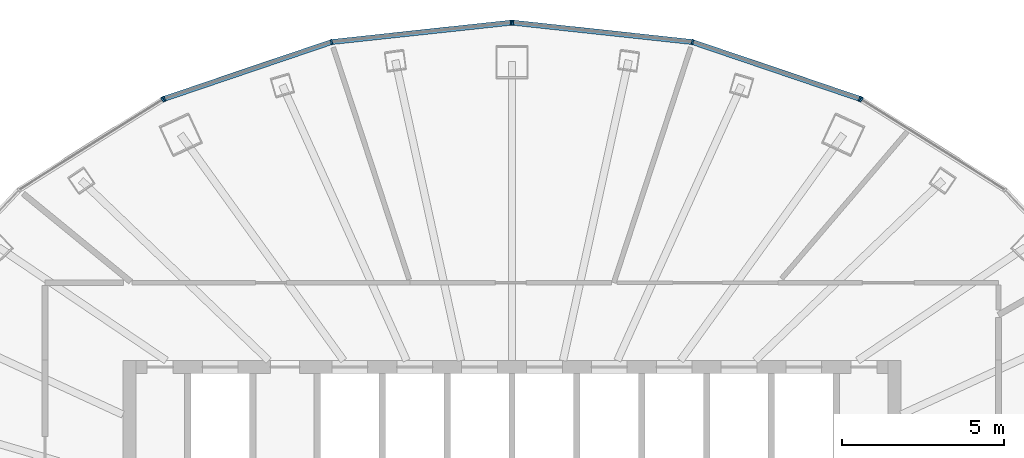
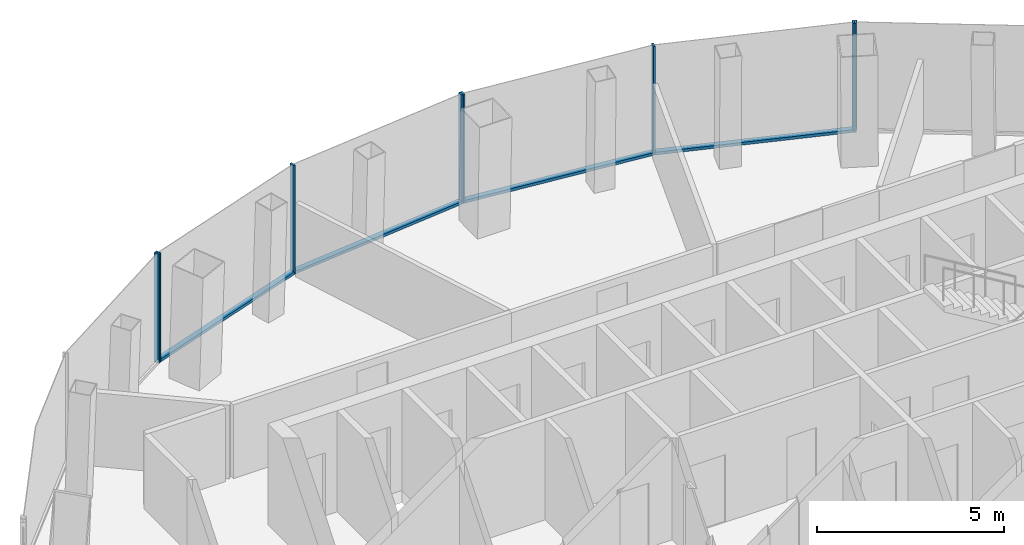
# One storey, part 7 of 12: 12 members, 4 elements without a shape of their own.
"""IFC4 building model written with IfcOpenShell, lengths in metres."""

from ifc_helpers import new_model, si_unit, direction, frame, origin, origin_2d, place, context, subcontext, project, spatial, rectangle, extrude, material, layer, layer_set, material_profile, profile_set, type_object, element, aggregate, save


model = new_model("IFC4")

# Units and contexts
model_context = context("Model", 3, precision=1e-05, world=origin(), true_north=direction((0.0, 1.0)))
body_context = subcontext(model_context, "Body", "Model", "MODEL_VIEW")
ifc_project = project(units=[si_unit("LENGTHUNIT", "METRE"), si_unit("AREAUNIT", "SQUARE_METRE"), si_unit("VOLUMEUNIT", "CUBIC_METRE"), si_unit("PLANEANGLEUNIT", "RADIAN"), si_unit("MASSUNIT", "GRAM", prefix="KILO")], contexts=[model_context])

# Site, building, storey
site_placement = place(None, origin())
site = spatial("IfcSite", under=ifc_project, at=site_placement, CompositionType="ELEMENT")
building_placement = place(site_placement, origin())
building = spatial("IfcBuilding", under=site, at=building_placement, Name="Siaravel Broadcast Tower", CompositionType="ELEMENT")
storey_placement = place(building_placement, frame((0.0, 0.0, 235.60009765625)))
storey = spatial("IfcBuildingStorey", under=building, at=storey_placement, Name="L57", CompositionType="ELEMENT", Elevation=235.60009765625)

# Curtain wall, member
ifc_material = material(Name="Aluminium 6063-T6", Category="aluminium")
ifc_layer = layer(ifc_material, 0.159912109375)
ifc_layer_set = layer_set([ifc_layer], Name="Aluminium 6063-T6")
curtain_wall_type = type_object("IfcCurtainWallType", Name="Unitised curtain wall, zone 4", PredefinedType="NOTDEFINED", material=ifc_layer_set)
curtain_wall_1_placement = place(storey_placement, origin())
curtain_wall_1 = element("IfcCurtainWall", 1, at=curtain_wall_1_placement, inside=storey, type_object=curtain_wall_type, Name="L57 Unitised curtain wall, zone 4 02", PredefinedType="NOTDEFINED")
ifc_material_profile_1 = material_profile(ifc_material, rectangle(XDim=0.159912109375, YDim=0.054931640625, at=origin_2d()))
ifc_profile_set_1 = profile_set([ifc_material_profile_1], Name="Aluminium 6063-T6")
member_type_1 = type_object("IfcMemberType", Name="CW-Z4 mullion", PredefinedType="MULLION", material=ifc_profile_set_1)
member_1_placement = place(storey_placement, frame((10.770751953125, 15.248046875, 0.0), z_axis=(0.0, 0.0, 1.0), x_axis=(-0.532150293, -0.846649907, 0.0)))
member_1 = element("IfcMember", 2, at=member_1_placement, type_object=member_type_1, Name="CW-Z4 mullion 3", PredefinedType="MULLION", context=body_context, shape_type="SweptSolid", body=[
    extrude(rectangle(XDim=0.159912109375, YDim=0.054931640625, at=origin_2d()), origin(), (0.0, 0.0, 1.0), 3.5498046875),
])
aggregate(curtain_wall_1, [member_1])

# Curtain wall, members
curtain_wall_2_placement = place(storey_placement, origin())
curtain_wall_2 = element("IfcCurtainWall", 3, at=curtain_wall_2_placement, inside=storey, type_object=curtain_wall_type, Name="L57 Unitised curtain wall, zone 4 03", PredefinedType="NOTDEFINED")
member_2_placement = place(storey_placement, frame((10.72119140625, 15.271484375, 0.0), z_axis=(0.0, 0.0, 1.0), x_axis=(-0.321301352, -0.946977002, 0.0)))
member_2 = element("IfcMember", 4, at=member_2_placement, type_object=member_type_1, Name="CW-Z4 mullion 1", PredefinedType="MULLION", context=body_context, shape_type="SweptSolid", body=[
    extrude(rectangle(XDim=0.159912109375, YDim=0.054931640625, at=origin_2d()), origin(), (0.0, 0.0, 1.0), 3.5498046875),
])
member_3_placement = place(storey_placement, frame((5.56298828125, 17.021728515625, 0.0), z_axis=(0.0, 0.0, 1.0), x_axis=(-0.215558569, -0.976490913, 0.0)))
member_3 = element("IfcMember", 5, at=member_3_placement, type_object=member_type_1, Name="CW-Z4 mullion 2", PredefinedType="MULLION", context=body_context, shape_type="SweptSolid", body=[
    extrude(rectangle(XDim=0.159912109375, YDim=0.054931640625, at=origin_2d()), origin(), (0.0, 0.0, 1.0), 3.5498046875),
])
member_4_placement = place(storey_placement, frame((0.02734375, 17.61865234375, 0.0), z_axis=(0.0, 0.0, 1.0), x_axis=(-0.107217743, -0.994235563, 0.0)))
member_4 = element("IfcMember", 6, at=member_4_placement, type_object=member_type_1, Name="CW-Z4 mullion 3", PredefinedType="MULLION", context=body_context, shape_type="SweptSolid", body=[
    extrude(rectangle(XDim=0.159912109375, YDim=0.054931640625, at=origin_2d()), origin(), (0.0, 0.0, 1.0), 3.5498046875),
])

curtain_wall_3_placement = place(storey_placement, origin())
curtain_wall_3 = element("IfcCurtainWall", 7, at=curtain_wall_3_placement, inside=storey, type_object=curtain_wall_type, Name="L57 Unitised curtain wall, zone 4 04", PredefinedType="NOTDEFINED")
member_5_placement = place(storey_placement, frame((-0.02734375, 17.61865234375, 0.0), z_axis=(0.0, 0.0, 1.0), x_axis=(0.107217743, -0.994235563, 0.0)))
member_5 = element("IfcMember", 8, at=member_5_placement, type_object=member_type_1, Name="CW-Z4 mullion 1", PredefinedType="MULLION", context=body_context, shape_type="SweptSolid", body=[
    extrude(rectangle(XDim=0.159912109375, YDim=0.054931640625, at=origin_2d()), origin(), (0.0, 0.0, 1.0), 3.5498046875),
])
member_6_placement = place(storey_placement, frame((-5.56298828125, 17.021728515625, 0.0), z_axis=(0.0, 0.0, 1.0), x_axis=(0.215558569, -0.976490913, 0.0)))
member_6 = element("IfcMember", 9, at=member_6_placement, type_object=member_type_1, Name="CW-Z4 mullion 2", PredefinedType="MULLION", context=body_context, shape_type="SweptSolid", body=[
    extrude(rectangle(XDim=0.159912109375, YDim=0.054931640625, at=origin_2d()), origin(), (0.0, 0.0, 1.0), 3.5498046875),
])
member_7_placement = place(storey_placement, frame((-10.72119140625, 15.271484375, 0.0), z_axis=(0.0, 0.0, 1.0), x_axis=(0.321301352, -0.946977002, 0.0)))
member_7 = element("IfcMember", 10, at=member_7_placement, type_object=member_type_1, Name="CW-Z4 mullion 3", PredefinedType="MULLION", context=body_context, shape_type="SweptSolid", body=[
    extrude(rectangle(XDim=0.159912109375, YDim=0.054931640625, at=origin_2d()), origin(), (0.0, 0.0, 1.0), 3.5498046875),
])

# Curtain wall, member
curtain_wall_4_placement = place(storey_placement, origin())
curtain_wall_4 = element("IfcCurtainWall", 11, at=curtain_wall_4_placement, inside=storey, type_object=curtain_wall_type, Name="L57 Unitised curtain wall, zone 4 05", PredefinedType="NOTDEFINED")
member_8_placement = place(storey_placement, frame((-10.770751953125, 15.248046875, 0.0), z_axis=(0.0, 0.0, 1.0), x_axis=(0.532150293, -0.846649907, 0.0)))
member_8 = element("IfcMember", 12, at=member_8_placement, type_object=member_type_1, Name="CW-Z4 mullion 1", PredefinedType="MULLION", context=body_context, shape_type="SweptSolid", body=[
    extrude(rectangle(XDim=0.159912109375, YDim=0.054931640625, at=origin_2d()), origin(), (0.0, 0.0, 1.0), 3.5498046875),
])
aggregate(curtain_wall_4, [member_8])

# Member
ifc_material_profile_2 = material_profile(ifc_material, rectangle(XDim=0.159912109375, YDim=0.090087890625, at=origin_2d()))
ifc_profile_set_2 = profile_set([ifc_material_profile_2], Name="Aluminium 6063-T6")
member_type_2 = type_object("IfcMemberType", Name="CW-Z4 transom", PredefinedType="USERDEFINED", material=ifc_profile_set_2)
member_9_placement = place(storey_placement, frame((10.6953125, 15.2802734375, 0.044921875), z_axis=(-0.946971812, 0.321316645, 0.0), x_axis=(-0.321316645, -0.946971812, 0.0)))
member_9 = element("IfcMember", 13, at=member_9_placement, type_object=member_type_2, Name="CW-Z4 transom 1", ObjectType="TRANSOM", PredefinedType="USERDEFINED", context=body_context, shape_type="SweptSolid", body=[
    extrude(rectangle(XDim=0.159912109375, YDim=0.090087890625, at=origin_2d()), origin(), (0.0, 0.0, 1.0), 5.392333984375),
])

member_10_placement = place(storey_placement, frame((5.53564453125, 17.024658203125, 0.044921875), z_axis=(-0.994235535, 0.107218006, 0.0), x_axis=(-0.107218006, -0.994235535, 0.0)))
member_10 = element("IfcMember", 14, at=member_10_placement, type_object=member_type_2, Name="CW-Z4 transom 2", ObjectType="TRANSOM", PredefinedType="USERDEFINED", context=body_context, shape_type="SweptSolid", body=[
    extrude(rectangle(XDim=0.159912109375, YDim=0.090087890625, at=origin_2d()), origin(), (0.0, 0.0, 1.0), 5.5126953125),
])

aggregate(curtain_wall_2, [member_2, member_3, member_4, member_9, member_10])

member_11_placement = place(storey_placement, frame((-0.0546875, 17.61572265625, 0.044921875), z_axis=(-0.994235535, -0.107218006, 0.0), x_axis=(0.107218006, -0.994235535, 0.0)))
member_11 = element("IfcMember", 15, at=member_11_placement, type_object=member_type_2, Name="CW-Z4 transom 1", ObjectType="TRANSOM", PredefinedType="USERDEFINED", context=body_context, shape_type="SweptSolid", body=[
    extrude(rectangle(XDim=0.159912109375, YDim=0.090087890625, at=origin_2d()), origin(), (0.0, 0.0, 1.0), 5.5126953125),
])

member_12_placement = place(storey_placement, frame((-5.5888671875, 17.012939453125, 0.044921875), z_axis=(-0.946971812, -0.321316645, 0.0), x_axis=(0.321316645, -0.946971812, 0.0)))
member_12 = element("IfcMember", 16, at=member_12_placement, type_object=member_type_2, Name="CW-Z4 transom 2", ObjectType="TRANSOM", PredefinedType="USERDEFINED", context=body_context, shape_type="SweptSolid", body=[
    extrude(rectangle(XDim=0.159912109375, YDim=0.090087890625, at=origin_2d()), origin(), (0.0, 0.0, 1.0), 5.392333984375),
])

aggregate(curtain_wall_3, [member_5, member_6, member_7, member_11, member_12])

save(model, "model.ifc")
